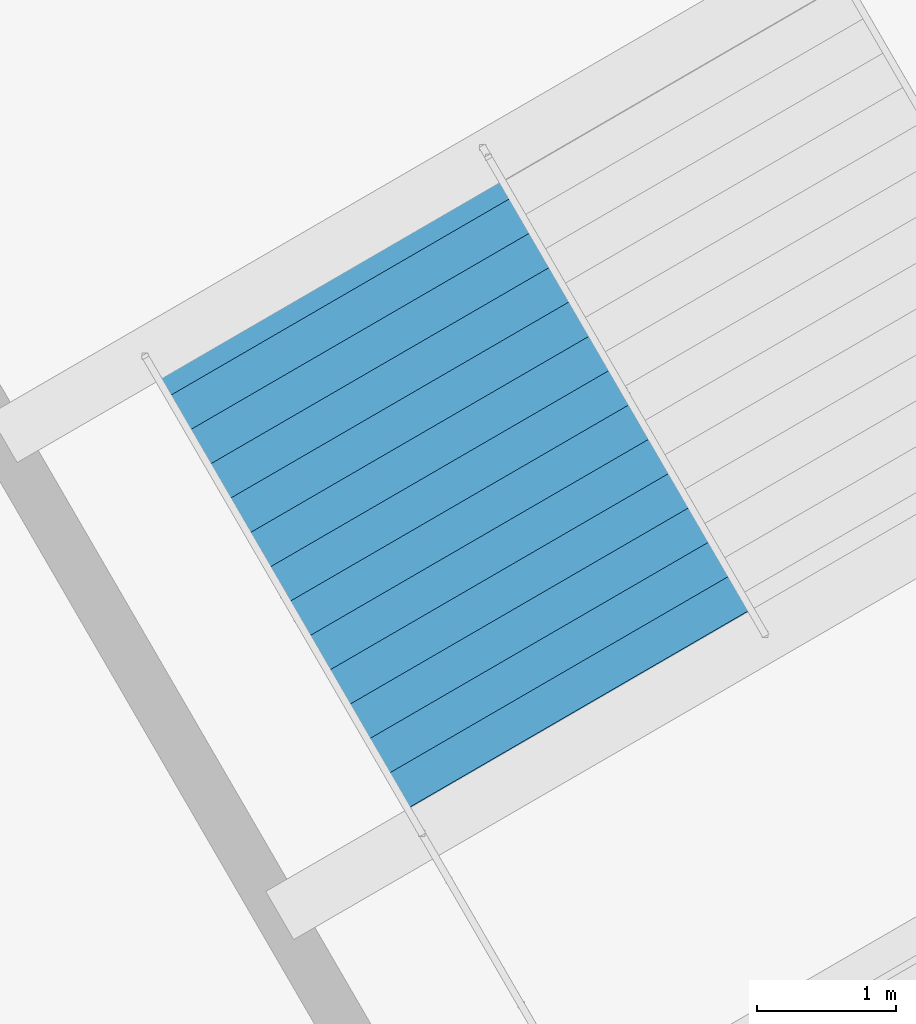
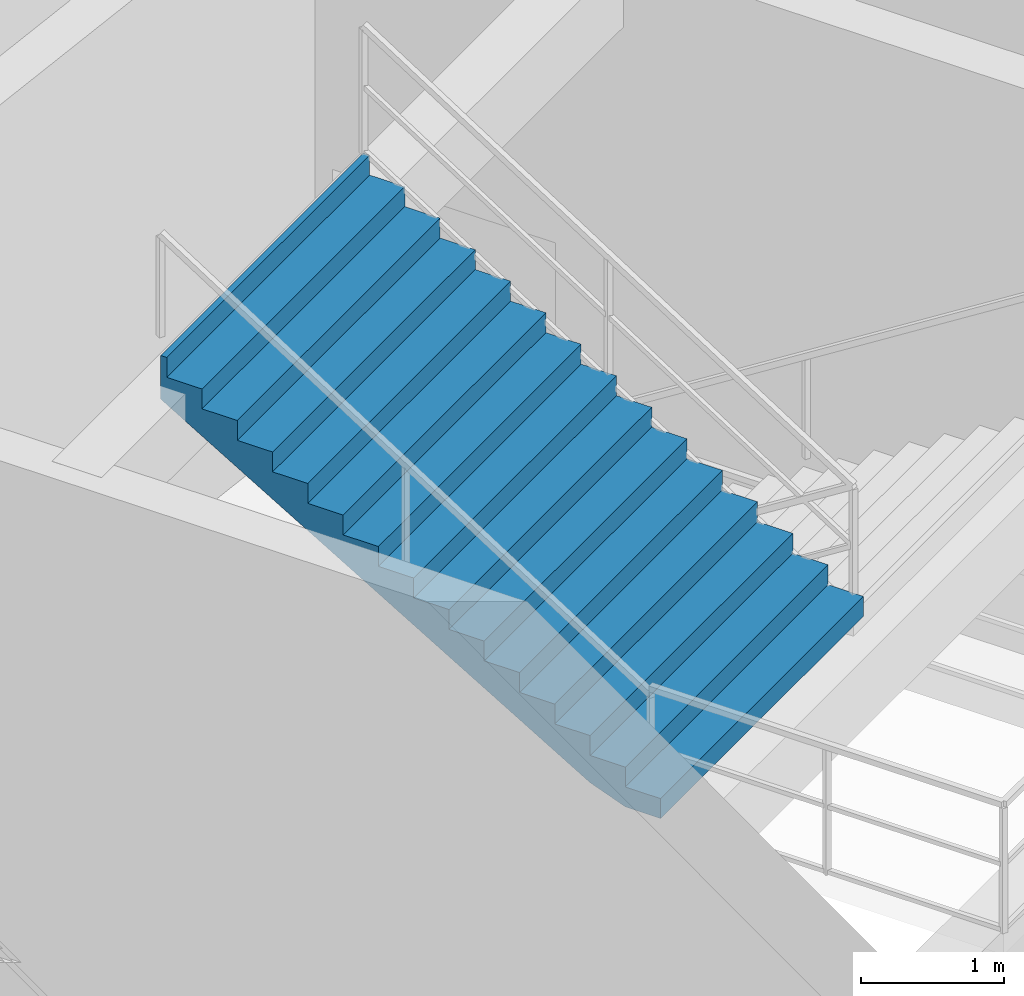
# One storey, part 155 of 184: 1 stair flight, 1 element without a shape of its own.
"""IFC4 building model written with IfcOpenShell, lengths in metres."""

from ifc_helpers import new_model, si_unit, direction, frame, origin, place, context, subcontext, project, spatial, polygons, material, type_object, element, aggregate, save


model = new_model("IFC4")

# Units and contexts
model_context = context("Model", 3, precision=1e-05, world=origin(), true_north=direction((0.0, 1.0)))
body_context = subcontext(model_context, "Body", "Model", "MODEL_VIEW")
ifc_project = project(units=[si_unit("LENGTHUNIT", "METRE"), si_unit("AREAUNIT", "SQUARE_METRE"), si_unit("VOLUMEUNIT", "CUBIC_METRE"), si_unit("PLANEANGLEUNIT", "RADIAN"), si_unit("MASSUNIT", "GRAM", prefix="KILO")], contexts=[model_context])

# Site, building, storey
site_placement = place(None, origin())
site = spatial("IfcSite", under=ifc_project, at=site_placement, CompositionType="ELEMENT")
building_placement = place(site_placement, origin())
building = spatial("IfcBuilding", under=site, at=building_placement, Name="Kazemori Nagisa Stadium", CompositionType="ELEMENT")
storey_placement = place(building_placement, frame((0.0, 0.0, 10.5400390625)))
storey = spatial("IfcBuildingStorey", under=building, at=storey_placement, Name="L02", CompositionType="ELEMENT", Elevation=10.5400390625)

# Stair, stair flight
ifc_material = material(Name="Concrete C36/45 (Fc36)", Category="concrete")
stair_type = type_object("IfcStairType", Name="Stair_CORE_30", PredefinedType="TWO_STRAIGHT_RUN_STAIR", material=ifc_material)
stair_placement = place(storey_placement, origin())
stair = element("IfcStair", 1, at=stair_placement, inside=storey, type_object=stair_type, Name="Exit stair ST09 L02", PredefinedType="TWO_STRAIGHT_RUN_STAIR")
stair_flight_type = type_object("IfcStairFlightType", Name="Flight_CORE_15", PredefinedType="STRAIGHT", material=ifc_material)
stair_flight_placement = place(storey_placement, frame((43.186767578125, 58.556640625, 2.550048828125), z_axis=(0.0, 0.0, 1.0), x_axis=(-0.501624683017, 0.86508535844, 0.0)))
stair_flight = element("IfcStairFlight", 2, at=stair_flight_placement, type_object=stair_flight_type, Name="Exit stair ST09 L02 flight 2", NumberOfRisers=15, NumberOfTreads=14, PredefinedType="STRAIGHT", RiserHeight=0.17, TreadLength=0.285, context=body_context, shape_type="Tessellation", body=[
    polygons([(0.0, -1.425048828125, 0.0), (0.0, -1.425048828125, 0.169921875), (0.284912109375, -1.425048828125, 0.169921875), (0.284912109375, -1.425048828125, 0.340087890625), (0.570068359375, -1.425048828125, 0.340087890625), (0.570068359375, -1.425048828125, 0.510009765625), (0.85498046875, -1.425048828125, 0.510009765625), (0.85498046875, -1.425048828125, 0.679931640625), (1.139892578125, -1.425048828125, 0.679931640625), (1.139892578125, -1.425048828125, 0.85009765625), (1.425048828125, -1.425048828125, 0.85009765625), (1.425048828125, -1.425048828125, 1.02001953125), (1.7099609375, -1.425048828125, 1.02001953125), (1.7099609375, -1.425048828125, 1.18994140625), (1.9951171875, -1.425048828125, 1.18994140625), (1.9951171875, -1.425048828125, 1.360107421875), (2.280029296875, -1.425048828125, 1.360107421875), (2.280029296875, -1.425048828125, 1.530029296875), (2.56494140625, -1.425048828125, 1.530029296875), (2.56494140625, -1.425048828125, 1.699951171875), (2.85009765625, -1.425048828125, 1.699951171875), (2.85009765625, -1.425048828125, 1.8701171875), (3.135009765625, -1.425048828125, 1.8701171875), (3.135009765625, -1.425048828125, 2.0400390625), (3.419921875, -1.425048828125, 2.0400390625), (3.419921875, -1.425048828125, 2.2099609375), (3.705078125, -1.425048828125, 2.2099609375), (3.705078125, -1.425048828125, 2.3798828125), (3.989990234375, -1.425048828125, 2.3798828125), (3.989990234375, -1.425048828125, 2.550048828125), (4.0400390625, -1.425048828125, 2.550048828125), (4.0400390625, -1.425048828125, 2.177001953125), (3.989990234375, -1.425048828125, 2.147216796875), (3.705078125, -1.425048828125, 1.977294921875), (3.419921875, -1.425048828125, 1.80712890625), (3.135009765625, -1.425048828125, 1.63720703125), (2.85009765625, -1.425048828125, 1.46728515625), (2.56494140625, -1.425048828125, 1.297119140625), (2.280029296875, -1.425048828125, 1.127197265625), (1.9951171875, -1.425048828125, 0.957275390625), (1.7099609375, -1.425048828125, 0.787109375), (1.425048828125, -1.425048828125, 0.6171875), (1.139892578125, -1.425048828125, 0.447265625), (0.85498046875, -1.425048828125, 0.277099609375), (0.570068359375, -1.425048828125, 0.107177734375), (0.284912109375, -1.425048828125, 0.0), (0.0, -0.08544921875, 0.0), (0.0, -0.08544921875, 0.169921875), (0.284912109375, -0.08544921875, 0.169921875), (0.284912109375, -0.08544921875, 0.340087890625), (0.570068359375, -0.08544921875, 0.340087890625), (0.570068359375, -0.08544921875, 0.510009765625), (0.85498046875, -0.08544921875, 0.510009765625), (0.85498046875, -0.08544921875, 0.679931640625), (1.139892578125, -0.08544921875, 0.679931640625), (1.139892578125, -0.08544921875, 0.85009765625), (1.425048828125, -0.08544921875, 0.85009765625), (1.425048828125, -0.08544921875, 1.02001953125), (1.7099609375, -0.08544921875, 1.02001953125), (1.7099609375, -0.08544921875, 1.18994140625), (1.9951171875, -0.08544921875, 1.18994140625), (1.9951171875, -0.08544921875, 1.360107421875), (2.280029296875, -0.08544921875, 1.360107421875), (2.280029296875, -0.08544921875, 1.530029296875), (2.56494140625, -0.08544921875, 1.530029296875), (2.56494140625, -0.08544921875, 1.699951171875), (2.85009765625, -0.08544921875, 1.699951171875), (2.85009765625, -0.08544921875, 1.8701171875), (3.135009765625, -0.08544921875, 1.8701171875), (3.135009765625, -0.08544921875, 2.0400390625), (3.419921875, -0.08544921875, 2.0400390625), (3.419921875, -0.08544921875, 2.2099609375), (3.705078125, -0.08544921875, 2.2099609375), (3.705078125, -0.08544921875, 2.3798828125), (3.989990234375, -0.08544921875, 2.3798828125), (3.989990234375, -0.08544921875, 2.550048828125), (4.0400390625, -0.08544921875, 2.550048828125), (4.0400390625, -0.08544921875, 2.177001953125), (3.989990234375, -0.08544921875, 2.147216796875), (3.705078125, -0.08544921875, 1.977294921875), (3.419921875, -0.08544921875, 1.80712890625), (3.135009765625, -0.08544921875, 1.63720703125), (2.85009765625, -0.08544921875, 1.46728515625), (2.56494140625, -0.08544921875, 1.297119140625), (2.280029296875, -0.08544921875, 1.127197265625), (1.9951171875, -0.08544921875, 0.957275390625), (1.7099609375, -0.08544921875, 0.787109375), (1.425048828125, -0.08544921875, 0.6171875), (1.139892578125, -0.08544921875, 0.447265625), (0.85498046875, -0.08544921875, 0.277099609375), (0.570068359375, -0.08544921875, 0.107177734375), (0.284912109375, -0.08544921875, 0.0), (0.0, 0.0, 0.0), (0.0, 0.0, 0.169921875), (0.284912109375, 0.0, 0.169921875), (0.284912109375, 0.0, 0.340087890625), (0.570068359375, 0.0, 0.340087890625), (0.570068359375, 0.0, 0.510009765625), (0.85498046875, 0.0, 0.510009765625), (0.85498046875, 0.0, 0.679931640625), (1.139892578125, 0.0, 0.679931640625), (1.139892578125, 0.0, 0.85009765625), (1.425048828125, 0.0, 0.85009765625), (1.425048828125, 0.0, 1.02001953125), (1.7099609375, 0.0, 1.02001953125), (1.7099609375, 0.0, 1.18994140625), (1.9951171875, 0.0, 1.18994140625), (1.9951171875, 0.0, 1.360107421875), (2.280029296875, 0.0, 1.360107421875), (2.280029296875, 0.0, 1.530029296875), (2.56494140625, 0.0, 1.530029296875), (2.56494140625, 0.0, 1.699951171875), (2.85009765625, 0.0, 1.699951171875), (2.85009765625, 0.0, 1.8701171875), (3.135009765625, 0.0, 1.8701171875), (3.135009765625, 0.0, 2.0400390625), (3.419921875, 0.0, 2.0400390625), (3.419921875, 0.0, 2.2099609375), (3.705078125, 0.0, 2.2099609375), (3.705078125, 0.0, 2.3798828125), (3.989990234375, 0.0, 2.3798828125), (3.989990234375, 0.0, 2.550048828125), (4.0400390625, 0.0, 2.550048828125), (4.0400390625, 0.0, 2.177001953125), (3.989990234375, 0.0, 2.147216796875), (3.705078125, 0.0, 1.977294921875), (3.419921875, 0.0, 1.80712890625), (3.135009765625, 0.0, 1.63720703125), (2.85009765625, 0.0, 1.46728515625), (2.56494140625, 0.0, 1.297119140625), (2.280029296875, 0.0, 1.127197265625), (1.9951171875, 0.0, 0.957275390625), (1.7099609375, 0.0, 0.787109375), (1.425048828125, 0.0, 0.6171875), (1.139892578125, 0.0, 0.447265625), (0.85498046875, 0.0, 0.277099609375), (0.570068359375, 0.0, 0.107177734375), (0.284912109375, 0.0, 0.0), (0.0, 0.08544921875, 0.0), (0.0, 0.08544921875, 0.169921875), (0.284912109375, 0.08544921875, 0.169921875), (0.284912109375, 0.08544921875, 0.340087890625), (0.570068359375, 0.08544921875, 0.340087890625), (0.570068359375, 0.08544921875, 0.510009765625), (0.85498046875, 0.08544921875, 0.510009765625), (0.85498046875, 0.08544921875, 0.679931640625), (1.139892578125, 0.08544921875, 0.679931640625), (1.139892578125, 0.08544921875, 0.85009765625), (1.425048828125, 0.08544921875, 0.85009765625), (1.425048828125, 0.08544921875, 1.02001953125), (1.7099609375, 0.08544921875, 1.02001953125), (1.7099609375, 0.08544921875, 1.18994140625), (1.9951171875, 0.08544921875, 1.18994140625), (1.9951171875, 0.08544921875, 1.360107421875), (2.280029296875, 0.08544921875, 1.360107421875), (2.280029296875, 0.08544921875, 1.530029296875), (2.56494140625, 0.08544921875, 1.530029296875), (2.56494140625, 0.08544921875, 1.699951171875), (2.85009765625, 0.08544921875, 1.699951171875), (2.85009765625, 0.08544921875, 1.8701171875), (3.135009765625, 0.08544921875, 1.8701171875), (3.135009765625, 0.08544921875, 2.0400390625), (3.419921875, 0.08544921875, 2.0400390625), (3.419921875, 0.08544921875, 2.2099609375), (3.705078125, 0.08544921875, 2.2099609375), (3.705078125, 0.08544921875, 2.3798828125), (3.989990234375, 0.08544921875, 2.3798828125), (3.989990234375, 0.08544921875, 2.550048828125), (4.0400390625, 0.08544921875, 2.550048828125), (4.0400390625, 0.08544921875, 2.177001953125), (3.989990234375, 0.08544921875, 2.147216796875), (3.705078125, 0.08544921875, 1.977294921875), (3.419921875, 0.08544921875, 1.80712890625), (3.135009765625, 0.08544921875, 1.63720703125), (2.85009765625, 0.08544921875, 1.46728515625), (2.56494140625, 0.08544921875, 1.297119140625), (2.280029296875, 0.08544921875, 1.127197265625), (1.9951171875, 0.08544921875, 0.957275390625), (1.7099609375, 0.08544921875, 0.787109375), (1.425048828125, 0.08544921875, 0.6171875), (1.139892578125, 0.08544921875, 0.447265625), (0.85498046875, 0.08544921875, 0.277099609375), (0.570068359375, 0.08544921875, 0.107177734375), (0.284912109375, 0.08544921875, 0.0), (0.0, 1.425048828125, 0.0), (0.0, 1.425048828125, 0.169921875), (0.284912109375, 1.425048828125, 0.169921875), (0.284912109375, 1.425048828125, 0.340087890625), (0.570068359375, 1.425048828125, 0.340087890625), (0.570068359375, 1.425048828125, 0.510009765625), (0.85498046875, 1.425048828125, 0.510009765625), (0.85498046875, 1.425048828125, 0.679931640625), (1.139892578125, 1.425048828125, 0.679931640625), (1.139892578125, 1.425048828125, 0.85009765625), (1.425048828125, 1.425048828125, 0.85009765625), (1.425048828125, 1.425048828125, 1.02001953125), (1.7099609375, 1.425048828125, 1.02001953125), (1.7099609375, 1.425048828125, 1.18994140625), (1.9951171875, 1.425048828125, 1.18994140625), (1.9951171875, 1.425048828125, 1.360107421875), (2.280029296875, 1.425048828125, 1.360107421875), (2.280029296875, 1.425048828125, 1.530029296875), (2.56494140625, 1.425048828125, 1.530029296875), (2.56494140625, 1.425048828125, 1.699951171875), (2.85009765625, 1.425048828125, 1.699951171875), (2.85009765625, 1.425048828125, 1.8701171875), (3.135009765625, 1.425048828125, 1.8701171875), (3.135009765625, 1.425048828125, 2.0400390625), (3.419921875, 1.425048828125, 2.0400390625), (3.419921875, 1.425048828125, 2.2099609375), (3.705078125, 1.425048828125, 2.2099609375), (3.705078125, 1.425048828125, 2.3798828125), (3.989990234375, 1.425048828125, 2.3798828125), (3.989990234375, 1.425048828125, 2.550048828125), (4.0400390625, 1.425048828125, 2.550048828125), (4.0400390625, 1.425048828125, 2.177001953125), (3.989990234375, 1.425048828125, 2.147216796875), (3.705078125, 1.425048828125, 1.977294921875), (3.419921875, 1.425048828125, 1.80712890625), (3.135009765625, 1.425048828125, 1.63720703125), (2.85009765625, 1.425048828125, 1.46728515625), (2.56494140625, 1.425048828125, 1.297119140625), (2.280029296875, 1.425048828125, 1.127197265625), (1.9951171875, 1.425048828125, 0.957275390625), (1.7099609375, 1.425048828125, 0.787109375), (1.425048828125, 1.425048828125, 0.6171875), (1.139892578125, 1.425048828125, 0.447265625), (0.85498046875, 1.425048828125, 0.277099609375), (0.570068359375, 1.425048828125, 0.107177734375), (0.284912109375, 1.425048828125, 0.0)], [[[1, 2, 48]], [[1, 48, 47]], [[2, 3, 49]], [[2, 49, 48]], [[3, 4, 50]], [[3, 50, 49]], [[4, 5, 51]], [[4, 51, 50]], [[5, 6, 52]], [[5, 52, 51]], [[6, 7, 53]], [[6, 53, 52]], [[7, 8, 54]], [[7, 54, 53]], [[8, 9, 55]], [[8, 55, 54]], [[9, 10, 56]], [[9, 56, 55]], [[10, 11, 57]], [[10, 57, 56]], [[11, 12, 58]], [[11, 58, 57]], [[12, 13, 59]], [[12, 59, 58]], [[13, 14, 60]], [[13, 60, 59]], [[14, 15, 61]], [[14, 61, 60]], [[15, 16, 62]], [[15, 62, 61]], [[16, 17, 63]], [[16, 63, 62]], [[17, 18, 64]], [[17, 64, 63]], [[18, 19, 65]], [[18, 65, 64]], [[19, 20, 66]], [[19, 66, 65]], [[20, 21, 67]], [[20, 67, 66]], [[21, 22, 68]], [[21, 68, 67]], [[22, 23, 69]], [[22, 69, 68]], [[23, 24, 70]], [[23, 70, 69]], [[24, 25, 71]], [[24, 71, 70]], [[25, 26, 72]], [[25, 72, 71]], [[26, 27, 73]], [[26, 73, 72]], [[27, 28, 74]], [[27, 74, 73]], [[28, 29, 75]], [[28, 75, 74]], [[29, 30, 76]], [[29, 76, 75]], [[30, 31, 77]], [[30, 77, 76]], [[31, 32, 78]], [[31, 78, 77]], [[32, 33, 79]], [[32, 79, 78]], [[33, 34, 80]], [[33, 80, 79]], [[34, 35, 81]], [[34, 81, 80]], [[35, 36, 82]], [[35, 82, 81]], [[36, 37, 83]], [[36, 83, 82]], [[37, 38, 84]], [[37, 84, 83]], [[38, 39, 85]], [[38, 85, 84]], [[39, 40, 86]], [[39, 86, 85]], [[40, 41, 87]], [[40, 87, 86]], [[41, 42, 88]], [[41, 88, 87]], [[42, 43, 89]], [[42, 89, 88]], [[43, 44, 90]], [[43, 90, 89]], [[44, 45, 91]], [[44, 91, 90]], [[45, 46, 92]], [[45, 92, 91]], [[46, 1, 47]], [[46, 47, 92]], [[47, 48, 94]], [[47, 94, 93]], [[48, 49, 95]], [[48, 95, 94]], [[49, 50, 96]], [[49, 96, 95]], [[50, 51, 97]], [[50, 97, 96]], [[51, 52, 98]], [[51, 98, 97]], [[52, 53, 99]], [[52, 99, 98]], [[53, 54, 100]], [[53, 100, 99]], [[54, 55, 101]], [[54, 101, 100]], [[55, 56, 102]], [[55, 102, 101]], [[56, 57, 103]], [[56, 103, 102]], [[57, 58, 104]], [[57, 104, 103]], [[58, 59, 105]], [[58, 105, 104]], [[59, 60, 106]], [[59, 106, 105]], [[60, 61, 107]], [[60, 107, 106]], [[61, 62, 108]], [[61, 108, 107]], [[62, 63, 109]], [[62, 109, 108]], [[63, 64, 110]], [[63, 110, 109]], [[64, 65, 111]], [[64, 111, 110]], [[65, 66, 112]], [[65, 112, 111]], [[66, 67, 113]], [[66, 113, 112]], [[67, 68, 114]], [[67, 114, 113]], [[68, 69, 115]], [[68, 115, 114]], [[69, 70, 116]], [[69, 116, 115]], [[70, 71, 117]], [[70, 117, 116]], [[71, 72, 118]], [[71, 118, 117]], [[72, 73, 119]], [[72, 119, 118]], [[73, 74, 120]], [[73, 120, 119]], [[74, 75, 121]], [[74, 121, 120]], [[75, 76, 122]], [[75, 122, 121]], [[76, 77, 123]], [[76, 123, 122]], [[77, 78, 124]], [[77, 124, 123]], [[78, 79, 125]], [[78, 125, 124]], [[79, 80, 126]], [[79, 126, 125]], [[80, 81, 127]], [[80, 127, 126]], [[81, 82, 128]], [[81, 128, 127]], [[82, 83, 129]], [[82, 129, 128]], [[83, 84, 130]], [[83, 130, 129]], [[84, 85, 131]], [[84, 131, 130]], [[85, 86, 132]], [[85, 132, 131]], [[86, 87, 133]], [[86, 133, 132]], [[87, 88, 134]], [[87, 134, 133]], [[88, 89, 135]], [[88, 135, 134]], [[89, 90, 136]], [[89, 136, 135]], [[90, 91, 137]], [[90, 137, 136]], [[91, 92, 138]], [[91, 138, 137]], [[92, 47, 93]], [[92, 93, 138]], [[93, 94, 140]], [[93, 140, 139]], [[94, 95, 141]], [[94, 141, 140]], [[95, 96, 142]], [[95, 142, 141]], [[96, 97, 143]], [[96, 143, 142]], [[97, 98, 144]], [[97, 144, 143]], [[98, 99, 145]], [[98, 145, 144]], [[99, 100, 146]], [[99, 146, 145]], [[100, 101, 147]], [[100, 147, 146]], [[101, 102, 148]], [[101, 148, 147]], [[102, 103, 149]], [[102, 149, 148]], [[103, 104, 150]], [[103, 150, 149]], [[104, 105, 151]], [[104, 151, 150]], [[105, 106, 152]], [[105, 152, 151]], [[106, 107, 153]], [[106, 153, 152]], [[107, 108, 154]], [[107, 154, 153]], [[108, 109, 155]], [[108, 155, 154]], [[109, 110, 156]], [[109, 156, 155]], [[110, 111, 157]], [[110, 157, 156]], [[111, 112, 158]], [[111, 158, 157]], [[112, 113, 159]], [[112, 159, 158]], [[113, 114, 160]], [[113, 160, 159]], [[114, 115, 161]], [[114, 161, 160]], [[115, 116, 162]], [[115, 162, 161]], [[116, 117, 163]], [[116, 163, 162]], [[117, 118, 164]], [[117, 164, 163]], [[118, 119, 165]], [[118, 165, 164]], [[119, 120, 166]], [[119, 166, 165]], [[120, 121, 167]], [[120, 167, 166]], [[121, 122, 168]], [[121, 168, 167]], [[122, 123, 169]], [[122, 169, 168]], [[123, 124, 170]], [[123, 170, 169]], [[124, 125, 171]], [[124, 171, 170]], [[125, 126, 172]], [[125, 172, 171]], [[126, 127, 173]], [[126, 173, 172]], [[127, 128, 174]], [[127, 174, 173]], [[128, 129, 175]], [[128, 175, 174]], [[129, 130, 176]], [[129, 176, 175]], [[130, 131, 177]], [[130, 177, 176]], [[131, 132, 178]], [[131, 178, 177]], [[132, 133, 179]], [[132, 179, 178]], [[133, 134, 180]], [[133, 180, 179]], [[134, 135, 181]], [[134, 181, 180]], [[135, 136, 182]], [[135, 182, 181]], [[136, 137, 183]], [[136, 183, 182]], [[137, 138, 184]], [[137, 184, 183]], [[138, 93, 139]], [[138, 139, 184]], [[139, 140, 186]], [[139, 186, 185]], [[140, 141, 187]], [[140, 187, 186]], [[141, 142, 188]], [[141, 188, 187]], [[142, 143, 189]], [[142, 189, 188]], [[143, 144, 190]], [[143, 190, 189]], [[144, 145, 191]], [[144, 191, 190]], [[145, 146, 192]], [[145, 192, 191]], [[146, 147, 193]], [[146, 193, 192]], [[147, 148, 194]], [[147, 194, 193]], [[148, 149, 195]], [[148, 195, 194]], [[149, 150, 196]], [[149, 196, 195]], [[150, 151, 197]], [[150, 197, 196]], [[151, 152, 198]], [[151, 198, 197]], [[152, 153, 199]], [[152, 199, 198]], [[153, 154, 200]], [[153, 200, 199]], [[154, 155, 201]], [[154, 201, 200]], [[155, 156, 202]], [[155, 202, 201]], [[156, 157, 203]], [[156, 203, 202]], [[157, 158, 204]], [[157, 204, 203]], [[158, 159, 205]], [[158, 205, 204]], [[159, 160, 206]], [[159, 206, 205]], [[160, 161, 207]], [[160, 207, 206]], [[161, 162, 208]], [[161, 208, 207]], [[162, 163, 209]], [[162, 209, 208]], [[163, 164, 210]], [[163, 210, 209]], [[164, 165, 211]], [[164, 211, 210]], [[165, 166, 212]], [[165, 212, 211]], [[166, 167, 213]], [[166, 213, 212]], [[167, 168, 214]], [[167, 214, 213]], [[168, 169, 215]], [[168, 215, 214]], [[169, 170, 216]], [[169, 216, 215]], [[170, 171, 217]], [[170, 217, 216]], [[171, 172, 218]], [[171, 218, 217]], [[172, 173, 219]], [[172, 219, 218]], [[173, 174, 220]], [[173, 220, 219]], [[174, 175, 221]], [[174, 221, 220]], [[175, 176, 222]], [[175, 222, 221]], [[176, 177, 223]], [[176, 223, 222]], [[177, 178, 224]], [[177, 224, 223]], [[178, 179, 225]], [[178, 225, 224]], [[179, 180, 226]], [[179, 226, 225]], [[180, 181, 227]], [[180, 227, 226]], [[181, 182, 228]], [[181, 228, 227]], [[182, 183, 229]], [[182, 229, 228]], [[183, 184, 230]], [[183, 230, 229]], [[184, 139, 185]], [[184, 185, 230]], [[3, 2, 1]], [[185, 186, 187]], [[46, 3, 1]], [[185, 187, 230]], [[45, 3, 46]], [[230, 187, 229]], [[5, 3, 45]], [[229, 187, 189]], [[5, 4, 3]], [[187, 188, 189]], [[44, 5, 45]], [[229, 189, 228]], [[7, 5, 44]], [[228, 189, 191]], [[7, 6, 5]], [[189, 190, 191]], [[43, 7, 44]], [[228, 191, 227]], [[9, 7, 43]], [[227, 191, 193]], [[9, 8, 7]], [[191, 192, 193]], [[42, 9, 43]], [[227, 193, 226]], [[11, 9, 42]], [[226, 193, 195]], [[11, 10, 9]], [[193, 194, 195]], [[41, 11, 42]], [[226, 195, 225]], [[13, 11, 41]], [[225, 195, 197]], [[13, 12, 11]], [[195, 196, 197]], [[40, 13, 41]], [[225, 197, 224]], [[15, 13, 40]], [[224, 197, 199]], [[15, 14, 13]], [[197, 198, 199]], [[39, 15, 40]], [[224, 199, 223]], [[17, 15, 39]], [[223, 199, 201]], [[17, 16, 15]], [[199, 200, 201]], [[38, 17, 39]], [[223, 201, 222]], [[19, 17, 38]], [[222, 201, 203]], [[19, 18, 17]], [[201, 202, 203]], [[37, 19, 38]], [[222, 203, 221]], [[21, 19, 37]], [[221, 203, 205]], [[21, 20, 19]], [[203, 204, 205]], [[36, 21, 37]], [[221, 205, 220]], [[23, 21, 36]], [[220, 205, 207]], [[23, 22, 21]], [[205, 206, 207]], [[35, 23, 36]], [[220, 207, 219]], [[25, 23, 35]], [[219, 207, 209]], [[25, 24, 23]], [[207, 208, 209]], [[34, 25, 35]], [[219, 209, 218]], [[27, 25, 34]], [[218, 209, 211]], [[27, 26, 25]], [[209, 210, 211]], [[33, 27, 34]], [[218, 211, 217]], [[29, 27, 33]], [[217, 211, 213]], [[29, 28, 27]], [[211, 212, 213]], [[32, 29, 33]], [[217, 213, 216]], [[31, 29, 32]], [[216, 213, 215]], [[31, 30, 29]], [[213, 214, 215]]], closed=True),
])
aggregate(stair, [stair_flight])

save(model, "model.ifc")
